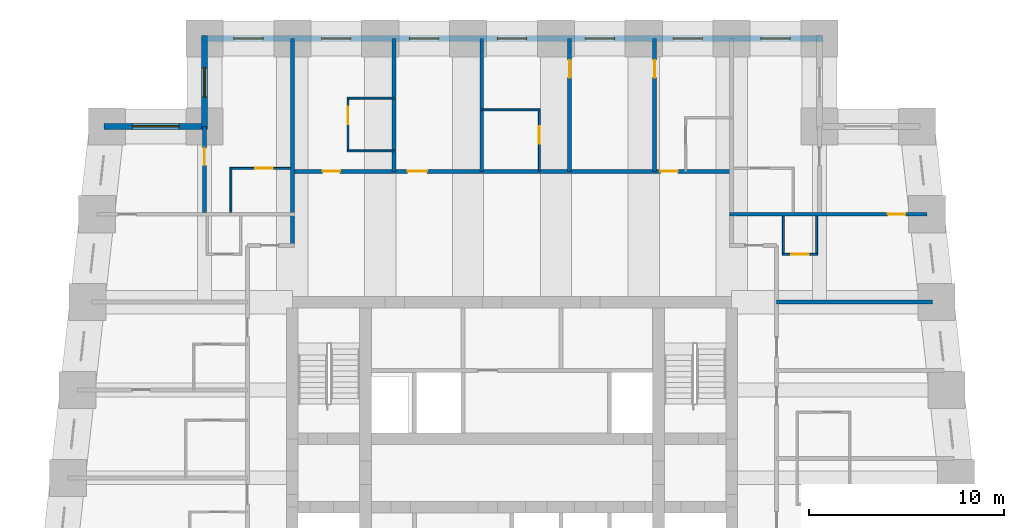
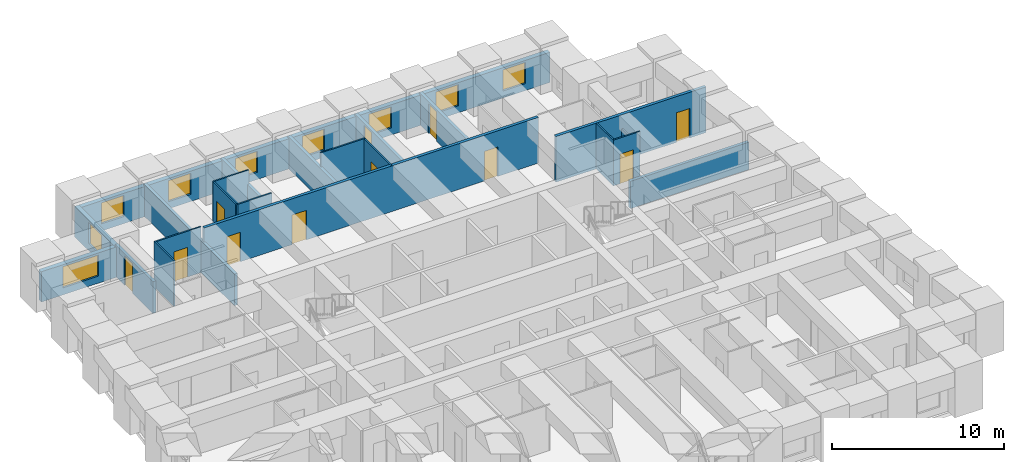
# One storey, part 6 of 8: 22 walls, 11 doors, 9 windows, 20 openings.
"""IFC4 building model written with IfcOpenShell, lengths in metres."""

from ifc_helpers import new_model, si_unit, direction, frame, frame_2d, origin, place, context, subcontext, project, spatial, rectangle, extrude, material, layer, layer_set, type_object, element, fill, save


model = new_model("IFC4")

# Units and contexts
model_context = context("Model", 3, precision=1e-05, world=origin(), true_north=direction((0.0, 1.0)))
body_context = subcontext(model_context, "Body", "Model", "MODEL_VIEW")
ifc_project = project(units=[si_unit("LENGTHUNIT", "METRE"), si_unit("AREAUNIT", "SQUARE_METRE"), si_unit("VOLUMEUNIT", "CUBIC_METRE"), si_unit("PLANEANGLEUNIT", "RADIAN"), si_unit("MASSUNIT", "GRAM", prefix="KILO")], contexts=[model_context])

# Site, building, storey
site_placement = place(None, origin())
site = spatial("IfcSite", under=ifc_project, at=site_placement, CompositionType="ELEMENT")
building_placement = place(site_placement, origin())
building = spatial("IfcBuilding", under=site, at=building_placement, Name="Kilele Tower Hotel", CompositionType="ELEMENT")
storey_placement = place(building_placement, frame((0.0, 0.0, 121.39990234375)))
storey = spatial("IfcBuildingStorey", under=building, at=storey_placement, Name="L31", CompositionType="ELEMENT", Elevation=121.39990234375)

# Walls
ifc_material_1 = material(Name="Moisture-resistant board")
ifc_layer_1 = layer(ifc_material_1, 0.10009765625)
ifc_layer_set_1 = layer_set([ifc_layer_1], Name="Moisture-resistant board")
wall_type_1 = type_object("IfcWallType", Name="Bathroom partition 100", PredefinedType="PLUMBINGWALL", material=ifc_layer_set_1)
for number, where, z_axis, x_axis, name in (
    (1, (16.300048828125, 34.75, 0.0), (0.0, 0.0, 1.0), (1.0, 0.0, 0.0), "Bathroom partition 100 L31"),
    (2, (16.300048828125, 37.449951171875, 0.0), (0.0, 0.0, 1.0), (1.0, 0.0, 0.0), "Bathroom partition 100 L31"),
):
    element("IfcWall", number, at=place(storey_placement, frame(where, z_axis=z_axis, x_axis=x_axis)), inside=storey, type_object=wall_type_1, Name=name, PredefinedType="PLUMBINGWALL", context=body_context, shape_type="SweptSolid", body=[
        extrude(rectangle(XDim=2.39990234375, YDim=0.10009765625, at=frame_2d((1.199951171875, 0.0))), origin(), (0.0, 0.0, 1.0), 3.25),
    ])

# Wall, opening, door
wall_1_placement = place(storey_placement, frame((16.35009765625, 34.699951171875, 0.0), z_axis=(0.0, 0.0, 1.0), x_axis=(0.0, 1.0, 0.0)))
wall_1 = element("IfcWall", 3, at=wall_1_placement, inside=storey, type_object=wall_type_1, Name="Bathroom partition 100 L31", PredefinedType="PLUMBINGWALL", context=body_context, shape_type="SweptSolid", body=[
    extrude(rectangle(XDim=2.800048828125, YDim=0.10009765625, at=frame_2d((1.39990234375, 0.0))), origin(), (0.0, 0.0, 1.0), 3.25),
])
opening_1_placement = place(wall_1_placement, frame((1.39990234375, 0.0, 0.0)))
opening_1 = element("IfcOpeningElement", 4, at=opening_1_placement, cuts=wall_1, Name="Opening D2A", PredefinedType="OPENING", context=body_context, shape_type="SweptSolid", body=[
    extrude(rectangle(XDim=0.89990234375, YDim=2.10009765625, at=frame_2d((0.449951171875, 1.050048828125))), frame((0.0, 0.06005859375, 0.0), z_axis=(0.0, -1.0, 0.0), x_axis=(1.0, 0.0, 0.0)), (0.0, 0.0, 1.0), 0.1201171875),
])
ifc_material_2 = material(Name="Timber door leaf in hardwood frame", Category="wood")
door_type_1 = type_object("IfcDoorType", Name="Bathroom door 900", OperationType="SINGLE_SWING_LEFT", PredefinedType="DOOR", material=ifc_material_2)
door_1_placement = place(opening_1_placement, origin())
door_1 = element("IfcDoor", 5, at=door_1_placement, inside=storey, type_object=door_type_1, Name="Bathroom door 3109B", OperationType="SINGLE_SWING_RIGHT", OverallHeight=2.10009765625, OverallWidth=0.89990234375, PredefinedType="DOOR", context=body_context, shape_type="SweptSolid", body=[
    extrude(rectangle(XDim=0.89990234375, YDim=2.10009765625, at=frame_2d((0.449951171875, 1.050048828125))), frame((0.0, 0.02490234375, 0.0), z_axis=(0.0, -1.0, 0.0), x_axis=(1.0, 0.0, 0.0)), (0.0, 0.0, 1.0), 0.050048828125),
])
fill(opening_1, door_1)

# Wall
wall_2_placement = place(storey_placement, frame((23.199951171875, 36.85009765625, 0.0), z_axis=(0.0, 0.0, 1.0), x_axis=(1.0, 0.0, 0.0)))
element("IfcWall", 6, at=wall_2_placement, inside=storey, type_object=wall_type_1, Name="Bathroom partition 100 L31", PredefinedType="PLUMBINGWALL", context=body_context, shape_type="SweptSolid", body=[
    extrude(rectangle(XDim=3.0, YDim=0.10009765625, at=frame_2d((1.5, 0.0))), origin(), (0.0, 0.0, 1.0), 3.25),
])

# Wall, opening, door
wall_3_placement = place(storey_placement, frame((26.14990234375, 33.699951171875, 0.0), z_axis=(0.0, 0.0, 1.0), x_axis=(0.0, 1.0, 0.0)))
wall_3 = element("IfcWall", 7, at=wall_3_placement, inside=storey, type_object=wall_type_1, Name="Bathroom partition 100 L31", PredefinedType="PLUMBINGWALL", context=body_context, shape_type="SweptSolid", body=[
    extrude(rectangle(XDim=3.199951171875, YDim=0.10009765625, at=frame_2d((1.60009765625, 0.0))), origin(), (0.0, 0.0, 1.0), 3.25),
])
opening_2_placement = place(wall_3_placement, frame((2.2998046875, 0.0, 0.0), z_axis=(0.0, 0.0, 1.0), x_axis=(-1.0, 0.0, 0.0)))
opening_2 = element("IfcOpeningElement", 8, at=opening_2_placement, cuts=wall_3, Name="Opening D2A", PredefinedType="OPENING", context=body_context, shape_type="SweptSolid", body=[
    extrude(rectangle(XDim=0.89990234375, YDim=2.10009765625, at=frame_2d((0.449951171875, 1.050048828125))), frame((0.0, 0.06005859375, 0.0), z_axis=(0.0, -1.0, 0.0), x_axis=(1.0, 0.0, 0.0)), (0.0, 0.0, 1.0), 0.1201171875),
])
door_2_placement = place(opening_2_placement, origin())
door_2 = element("IfcDoor", 9, at=door_2_placement, inside=storey, type_object=door_type_1, Name="Bathroom door 3111B", OperationType="SINGLE_SWING_RIGHT", OverallHeight=2.10009765625, OverallWidth=0.89990234375, PredefinedType="DOOR", context=body_context, shape_type="SweptSolid", body=[
    extrude(rectangle(XDim=0.89990234375, YDim=2.10009765625, at=frame_2d((0.449951171875, 1.050048828125))), frame((0.0, 0.02490234375, 0.0), z_axis=(0.0, -1.0, 0.0), x_axis=(1.0, 0.0, 0.0)), (0.0, 0.0, 1.0), 0.050048828125),
])
fill(opening_2, door_2)

# Walls
wall_4_placement = place(storey_placement, frame((40.35009765625, 31.39990234375, 0.0), z_axis=(0.0, 0.0, 1.0), x_axis=(0.0, -1.0, 0.0)))
element("IfcWall", 10, at=wall_4_placement, inside=storey, type_object=wall_type_1, Name="Bathroom partition 100 L31", PredefinedType="PLUMBINGWALL", context=body_context, shape_type="SweptSolid", body=[
    extrude(rectangle(XDim=2.0, YDim=0.10009765625, at=frame_2d((1.0, 0.0))), origin(), (0.0, 0.0, 1.0), 2.25),
])
wall_5_placement = place(storey_placement, frame((38.64990234375, 31.39990234375, 0.0), z_axis=(0.0, 0.0, 1.0), x_axis=(0.0, -1.0, 0.0)))
element("IfcWall", 11, at=wall_5_placement, inside=storey, type_object=wall_type_1, Name="Bathroom partition 100 L31", PredefinedType="PLUMBINGWALL", context=body_context, shape_type="SweptSolid", body=[
    extrude(rectangle(XDim=2.0, YDim=0.10009765625, at=frame_2d((1.0, 0.0))), origin(), (0.0, 0.0, 1.0), 3.25),
])

# Wall, opening, door
wall_6_placement = place(storey_placement, frame((38.60009765625, 29.449951171875, 0.0), z_axis=(0.0, 0.0, 1.0), x_axis=(1.0, 0.0, 0.0)))
wall_6 = element("IfcWall", 12, at=wall_6_placement, inside=storey, type_object=wall_type_1, Name="Bathroom partition 100 L31", PredefinedType="PLUMBINGWALL", context=body_context, shape_type="SweptSolid", body=[
    extrude(rectangle(XDim=1.7998046875, YDim=0.10009765625, at=frame_2d((0.89990234375, 0.0))), origin(), (0.0, 0.0, 1.0), 3.25),
])
opening_3_placement = place(wall_6_placement, frame((1.349853515625, 0.0, 0.0), z_axis=(0.0, 0.0, 1.0), x_axis=(-1.0, 0.0, 0.0)))
opening_3 = element("IfcOpeningElement", 13, at=opening_3_placement, cuts=wall_6, Name="Opening D2A", PredefinedType="OPENING", context=body_context, shape_type="SweptSolid", body=[
    extrude(rectangle(XDim=0.89990234375, YDim=2.10009765625, at=frame_2d((0.449951171875, 1.050048828125))), frame((0.0, 0.06005859375, 0.0), z_axis=(0.0, -1.0, 0.0), x_axis=(1.0, 0.0, 0.0)), (0.0, 0.0, 1.0), 0.1201171875),
])
door_3_placement = place(opening_3_placement, origin())
door_3 = element("IfcDoor", 14, at=door_3_placement, inside=storey, type_object=door_type_1, Name="Bathroom door 3123P", OperationType="SINGLE_SWING_RIGHT", OverallHeight=2.10009765625, OverallWidth=0.89990234375, PredefinedType="DOOR", context=body_context, shape_type="SweptSolid", body=[
    extrude(rectangle(XDim=0.89990234375, YDim=2.10009765625, at=frame_2d((0.449951171875, 1.050048828125))), frame((0.0, 0.02490234375, 0.0), z_axis=(0.0, -1.0, 0.0), x_axis=(1.0, 0.0, 0.0)), (0.0, 0.0, 1.0), 0.050048828125),
])
fill(opening_3, door_3)

# Wall
wall_7_placement = place(storey_placement, frame((10.35009765625, 31.60009765625, 0.0), z_axis=(0.0, 0.0, 1.0), x_axis=(0.0, 1.0, 0.0)))
element("IfcWall", 15, at=wall_7_placement, inside=storey, type_object=wall_type_1, Name="Bathroom partition 100 L31", PredefinedType="PLUMBINGWALL", context=body_context, shape_type="SweptSolid", body=[
    extrude(rectangle(XDim=2.2998046875, YDim=0.10009765625, at=frame_2d((1.14990234375, 0.0))), origin(), (0.0, 0.0, 1.0), 3.25),
])

# Wall, opening, door
wall_8_placement = place(storey_placement, frame((13.39990234375, 33.85009765625, 0.0), z_axis=(0.0, 0.0, 1.0), x_axis=(-1.0, 0.0, 0.0)))
wall_8 = element("IfcWall", 16, at=wall_8_placement, inside=storey, type_object=wall_type_1, Name="Bathroom partition 100 L31", PredefinedType="PLUMBINGWALL", context=body_context, shape_type="SweptSolid", body=[
    extrude(rectangle(XDim=3.099853515625, YDim=0.10009765625, at=frame_2d((1.5498046875, 0.0))), origin(), (0.0, 0.0, 1.0), 3.25),
])
opening_4_placement = place(wall_8_placement, frame((1.7998046875, 0.0, 0.0), z_axis=(0.0, 0.0, 1.0), x_axis=(-1.0, 0.0, 0.0)))
opening_4 = element("IfcOpeningElement", 17, at=opening_4_placement, cuts=wall_8, Name="Opening D2A", PredefinedType="OPENING", context=body_context, shape_type="SweptSolid", body=[
    extrude(rectangle(XDim=0.89990234375, YDim=2.10009765625, at=frame_2d((0.449951171875, 1.050048828125))), frame((0.0, 0.06005859375, 0.0), z_axis=(0.0, -1.0, 0.0), x_axis=(1.0, 0.0, 0.0)), (0.0, 0.0, 1.0), 0.1201171875),
])
door_4_placement = place(opening_4_placement, origin())
door_4 = element("IfcDoor", 18, at=door_4_placement, inside=storey, type_object=door_type_1, Name="Bathroom door 3127B", OperationType="SINGLE_SWING_RIGHT", OverallHeight=2.10009765625, OverallWidth=0.89990234375, PredefinedType="DOOR", context=body_context, shape_type="SweptSolid", body=[
    extrude(rectangle(XDim=0.89990234375, YDim=2.10009765625, at=frame_2d((0.449951171875, 1.050048828125))), frame((0.0, 0.02490234375, 0.0), z_axis=(0.0, -1.0, 0.0), x_axis=(1.0, 0.0, 0.0)), (0.0, 0.0, 1.0), 0.050048828125),
])
fill(opening_4, door_4)

# Wall, openings, doors
ifc_material_3 = material(Name="Blockwork, plastered both sides", Category="masonry")
ifc_layer_2 = layer(ifc_material_3, 0.199951171875)
ifc_layer_set_2 = layer_set([ifc_layer_2], Name="Blockwork, plastered both sides")
wall_type_2 = type_object("IfcWallType", Name="Corridor wall 200", PredefinedType="PARTITIONING", material=ifc_layer_set_2)
wall_9_placement = place(storey_placement, frame((13.5, 33.699951171875, 0.0), z_axis=(0.0, 0.0, 1.0), x_axis=(1.0, 0.0, 0.0)))
wall_9 = element("IfcWall", 19, at=wall_9_placement, inside=storey, type_object=wall_type_2, Name="Corridor wall 200 L31", PredefinedType="PARTITIONING", context=body_context, shape_type="SweptSolid", body=[
    extrude(rectangle(XDim=22.5, YDim=0.199951171875, at=frame_2d((11.25, 0.0))), origin(), (0.0, 0.0, 1.0), 3.25),
])
opening_5_placement = place(wall_9_placement, frame((1.550048828125, 0.0, 0.0)))
opening_5 = element("IfcOpeningElement", 20, at=opening_5_placement, cuts=wall_9, Name="Opening D1", PredefinedType="OPENING", context=body_context, shape_type="SweptSolid", body=[
    extrude(rectangle(XDim=0.89990234375, YDim=2.10009765625, at=frame_2d((0.449951171875, 1.050048828125))), frame((0.0, 0.10986328125, 0.0), z_axis=(0.0, -1.0, 0.0), x_axis=(1.0, 0.0, 0.0)), (0.0, 0.0, 1.0), 0.219970703125),
])
opening_6_placement = place(wall_9_placement, frame((5.89990234375, 0.0, 0.0)))
opening_6 = element("IfcOpeningElement", 21, at=opening_6_placement, cuts=wall_9, Name="Opening D8", PredefinedType="OPENING", context=body_context, shape_type="SweptSolid", body=[
    extrude(rectangle(XDim=1.0, YDim=2.10009765625, at=frame_2d((0.5, 1.050048828125))), frame((0.0, 0.10986328125, 0.0), z_axis=(0.0, -1.0, 0.0), x_axis=(1.0, 0.0, 0.0)), (0.0, 0.0, 1.0), 0.219970703125),
])
opening_7_placement = place(wall_9_placement, frame((18.85009765625, 0.0, 0.0)))
opening_7 = element("IfcOpeningElement", 22, at=opening_7_placement, cuts=wall_9, Name="Opening D1", PredefinedType="OPENING", context=body_context, shape_type="SweptSolid", body=[
    extrude(rectangle(XDim=0.89990234375, YDim=2.10009765625, at=frame_2d((0.449951171875, 1.050048828125))), frame((0.0, 0.10986328125, 0.0), z_axis=(0.0, -1.0, 0.0), x_axis=(1.0, 0.0, 0.0)), (0.0, 0.0, 1.0), 0.219970703125),
])
ifc_material_4 = material(Name="Timber door leaf in hardwood frame", Category="wood")
door_type_2 = type_object("IfcDoorType", Name="Door 1000", OperationType="SINGLE_SWING_LEFT", PredefinedType="DOOR", material=ifc_material_4)
door_5_placement = place(opening_6_placement, origin())
door_5 = element("IfcDoor", 23, at=door_5_placement, inside=storey, type_object=door_type_2, Name="Room entrance 3110", OperationType="SINGLE_SWING_LEFT", OverallHeight=2.10009765625, OverallWidth=1.0, PredefinedType="DOOR", context=body_context, shape_type="SweptSolid", body=[
    extrude(rectangle(XDim=1.0, YDim=2.10009765625, at=frame_2d((0.5, 1.050048828125))), frame((0.0, 0.02490234375, 0.0), z_axis=(0.0, -1.0, 0.0), x_axis=(1.0, 0.0, 0.0)), (0.0, 0.0, 1.0), 0.050048828125),
])
fill(opening_6, door_5)
ifc_material_5 = material(Name="Timber door leaf in hardwood frame", Category="wood")
door_type_3 = type_object("IfcDoorType", Name="Guest room entrance door 900", OperationType="SINGLE_SWING_LEFT", PredefinedType="DOOR", material=ifc_material_5)
door_6_placement = place(opening_5_placement, origin())
door_6 = element("IfcDoor", 24, at=door_6_placement, inside=storey, type_object=door_type_3, Name="Room entrance 3109", OperationType="SINGLE_SWING_RIGHT", OverallHeight=2.10009765625, OverallWidth=0.89990234375, PredefinedType="DOOR", context=body_context, shape_type="SweptSolid", body=[
    extrude(rectangle(XDim=0.89990234375, YDim=2.10009765625, at=frame_2d((0.449951171875, 1.050048828125))), frame((0.0, 0.02490234375, 0.0), z_axis=(0.0, -1.0, 0.0), x_axis=(1.0, 0.0, 0.0)), (0.0, 0.0, 1.0), 0.050048828125),
])
fill(opening_5, door_6)
door_7_placement = place(opening_7_placement, origin())
door_7 = element("IfcDoor", 25, at=door_7_placement, inside=storey, type_object=door_type_3, Name="Room entrance 3113", OperationType="SINGLE_SWING_LEFT", OverallHeight=2.10009765625, OverallWidth=0.89990234375, PredefinedType="DOOR", context=body_context, shape_type="SweptSolid", body=[
    extrude(rectangle(XDim=0.89990234375, YDim=2.10009765625, at=frame_2d((0.449951171875, 1.050048828125))), frame((0.0, 0.02490234375, 0.0), z_axis=(0.0, -1.0, 0.0), x_axis=(1.0, 0.0, 0.0)), (0.0, 0.0, 1.0), 0.050048828125),
])
fill(opening_7, door_7)

# Wall, opening, door
ifc_material_6 = material(Name="Blockwork, plastered both sides", Category="masonry")
ifc_layer_3 = layer(ifc_material_6, 0.199951171875)
ifc_layer_set_3 = layer_set([ifc_layer_3], Name="Blockwork, plastered both sides")
wall_type_3 = type_object("IfcWallType", Name="Partition wall 200", PredefinedType="PARTITIONING", material=ifc_layer_set_3)
wall_10_placement = place(storey_placement, frame((9.0, 31.60009765625, 0.0), z_axis=(0.0, 0.0, 1.0), x_axis=(0.0, 1.0, 0.0)))
wall_10 = element("IfcWall", 26, at=wall_10_placement, inside=storey, type_object=wall_type_3, Name="Partition wall 200 L31", PredefinedType="PARTITIONING", context=body_context, shape_type="SweptSolid", body=[
    extrude(rectangle(XDim=4.39990234375, YDim=0.199951171875, at=frame_2d((2.199951171875, 0.0))), origin(), (0.0, 0.0, 1.0), 2.25),
])
opening_8_placement = place(wall_10_placement, frame((2.39990234375, 0.0, 0.0)))
opening_8 = element("IfcOpeningElement", 27, at=opening_8_placement, cuts=wall_10, Name="Opening D3", PredefinedType="OPENING", context=body_context, shape_type="SweptSolid", body=[
    extrude(rectangle(XDim=0.89990234375, YDim=2.10009765625, at=frame_2d((0.449951171875, 1.050048828125))), frame((0.0, 0.10986328125, 0.0), z_axis=(0.0, -1.0, 0.0), x_axis=(1.0, 0.0, 0.0)), (0.0, 0.0, 1.0), 0.219970703125),
])
ifc_material_7 = material(Name="Timber door leaf in hardwood frame", Category="wood")
door_type_4 = type_object("IfcDoorType", Name="Suite internal door 900", OperationType="SINGLE_SWING_LEFT", PredefinedType="DOOR", material=ifc_material_7)
door_8_placement = place(opening_8_placement, origin())
door_8 = element("IfcDoor", 28, at=door_8_placement, inside=storey, type_object=door_type_4, Name="Suite door 3128", OperationType="SINGLE_SWING_RIGHT", OverallHeight=2.10009765625, OverallWidth=0.89990234375, PredefinedType="DOOR", context=body_context, shape_type="SweptSolid", body=[
    extrude(rectangle(XDim=0.89990234375, YDim=2.10009765625, at=frame_2d((0.449951171875, 1.050048828125))), frame((0.0, 0.02490234375, 0.0), z_axis=(0.0, -1.0, 0.0), x_axis=(1.0, 0.0, 0.0)), (0.0, 0.0, 1.0), 0.050048828125),
])
fill(opening_8, door_8)

# Walls
ifc_material_8 = material(Name="Blockwork, plastered both sides", Category="masonry")
ifc_layer_4 = layer(ifc_material_8, 0.199951171875)
ifc_layer_set_4 = layer_set([ifc_layer_4], Name="Blockwork, plastered both sides")
wall_type_4 = type_object("IfcWallType", Name="Party wall 200", PredefinedType="PARTITIONING", material=ifc_layer_set_4)
for number, where, z_axis, x_axis, name in (
    (29, (18.699951171875, 33.699951171875, 0.0), (0.0, 0.0, 1.0), (0.0, 1.0, 0.0), "Party wall 200 L31"),
    (30, (23.199951171875, 33.699951171875, 0.0), (0.0, 0.0, 1.0), (0.0, 1.0, 0.0), "Party wall 200 L31"),
):
    element("IfcWall", number, at=place(storey_placement, frame(where, z_axis=z_axis, x_axis=x_axis)), inside=storey, type_object=wall_type_4, Name=name, PredefinedType="PARTITIONING", context=body_context, shape_type="SweptSolid", body=[
        extrude(rectangle(XDim=6.800048828125, YDim=0.199951171875, at=frame_2d((3.39990234375, 0.0))), origin(), (0.0, 0.0, 1.0), 2.25),
    ])

# Wall, opening, door
wall_11_placement = place(storey_placement, frame((27.699951171875, 33.699951171875, 0.0), z_axis=(0.0, 0.0, 1.0), x_axis=(0.0, 1.0, 0.0)))
wall_11 = element("IfcWall", 31, at=wall_11_placement, inside=storey, type_object=wall_type_4, Name="Party wall 200 L31", PredefinedType="PARTITIONING", context=body_context, shape_type="SweptSolid", body=[
    extrude(rectangle(XDim=6.800048828125, YDim=0.199951171875, at=frame_2d((3.39990234375, 0.0))), origin(), (0.0, 0.0, 1.0), 2.25),
])
opening_9_placement = place(wall_11_placement, frame((4.800048828125, 0.0, 0.0)))
opening_9 = element("IfcOpeningElement", 32, at=opening_9_placement, cuts=wall_11, Name="Opening D3", PredefinedType="OPENING", context=body_context, shape_type="SweptSolid", body=[
    extrude(rectangle(XDim=0.89990234375, YDim=2.10009765625, at=frame_2d((0.449951171875, 1.050048828125))), frame((0.0, 0.10986328125, 0.0), z_axis=(0.0, -1.0, 0.0), x_axis=(1.0, 0.0, 0.0)), (0.0, 0.0, 1.0), 0.219970703125),
])
door_9_placement = place(opening_9_placement, origin())
door_9 = element("IfcDoor", 33, at=door_9_placement, inside=storey, type_object=door_type_4, Name="Suite door 3112", OperationType="SINGLE_SWING_RIGHT", OverallHeight=2.10009765625, OverallWidth=0.89990234375, PredefinedType="DOOR", context=body_context, shape_type="SweptSolid", body=[
    extrude(rectangle(XDim=0.89990234375, YDim=2.10009765625, at=frame_2d((0.449951171875, 1.050048828125))), frame((0.0, 0.02490234375, 0.0), z_axis=(0.0, -1.0, 0.0), x_axis=(1.0, 0.0, 0.0)), (0.0, 0.0, 1.0), 0.050048828125),
])
fill(opening_9, door_9)

wall_12_placement = place(storey_placement, frame((32.050048828125, 33.699951171875, 0.0), z_axis=(0.0, 0.0, 1.0), x_axis=(0.0, 1.0, 0.0)))
wall_12 = element("IfcWall", 34, at=wall_12_placement, inside=storey, type_object=wall_type_4, Name="Party wall 200 L31", PredefinedType="PARTITIONING", context=body_context, shape_type="SweptSolid", body=[
    extrude(rectangle(XDim=6.800048828125, YDim=0.199951171875, at=frame_2d((3.39990234375, 0.0))), origin(), (0.0, 0.0, 1.0), 2.25),
])
opening_10_placement = place(wall_12_placement, frame((4.800048828125, 0.0, 0.0)))
opening_10 = element("IfcOpeningElement", 35, at=opening_10_placement, cuts=wall_12, Name="Opening D3", PredefinedType="OPENING", context=body_context, shape_type="SweptSolid", body=[
    extrude(rectangle(XDim=0.89990234375, YDim=2.10009765625, at=frame_2d((0.449951171875, 1.050048828125))), frame((0.0, 0.10986328125, 0.0), z_axis=(0.0, -1.0, 0.0), x_axis=(1.0, 0.0, 0.0)), (0.0, 0.0, 1.0), 0.219970703125),
])
door_10_placement = place(opening_10_placement, origin())
door_10 = element("IfcDoor", 36, at=door_10_placement, inside=storey, type_object=door_type_4, Name="Suite door 3113", OperationType="SINGLE_SWING_RIGHT", OverallHeight=2.10009765625, OverallWidth=0.89990234375, PredefinedType="DOOR", context=body_context, shape_type="SweptSolid", body=[
    extrude(rectangle(XDim=0.89990234375, YDim=2.10009765625, at=frame_2d((0.449951171875, 1.050048828125))), frame((0.0, 0.02490234375, 0.0), z_axis=(0.0, -1.0, 0.0), x_axis=(1.0, 0.0, 0.0)), (0.0, 0.0, 1.0), 0.050048828125),
])
fill(opening_10, door_10)

# Wall
wall_13_placement = place(storey_placement, frame((38.300048828125, 27.0, 0.0), z_axis=(0.0, 0.0, 1.0), x_axis=(1.0, 0.0, 0.0)))
element("IfcWall", 37, at=wall_13_placement, inside=storey, type_object=wall_type_4, Name="Party wall 200 L31", PredefinedType="PARTITIONING", context=body_context, shape_type="SweptSolid", body=[
    extrude(rectangle(XDim=7.976806640625, YDim=0.199951171875, at=frame_2d((3.98828125, 0.0))), origin(), (0.0, 0.0, 1.0), 1.9501953125),
])

# Wall, opening, door
wall_14_placement = place(storey_placement, frame((35.89990234375, 31.5, 0.0), z_axis=(0.0, 0.0, 1.0), x_axis=(1.0, 0.0, 0.0)))
wall_14 = element("IfcWall", 38, at=wall_14_placement, inside=storey, type_object=wall_type_4, Name="Party wall 200 L31", PredefinedType="PARTITIONING", context=body_context, shape_type="SweptSolid", body=[
    extrude(rectangle(XDim=10.09912109375, YDim=0.199951171875, at=frame_2d((5.049560546875, 0.0))), origin(), (0.0, 0.0, 1.0), 3.25),
])
opening_11_placement = place(wall_14_placement, frame((8.09912109375, 0.0, 0.0)))
opening_11 = element("IfcOpeningElement", 39, at=opening_11_placement, cuts=wall_14, Name="Opening D3", PredefinedType="OPENING", context=body_context, shape_type="SweptSolid", body=[
    extrude(rectangle(XDim=0.89990234375, YDim=2.10009765625, at=frame_2d((0.449951171875, 1.050048828125))), frame((0.0, 0.10986328125, 0.0), z_axis=(0.0, -1.0, 0.0), x_axis=(1.0, 0.0, 0.0)), (0.0, 0.0, 1.0), 0.219970703125),
])
door_11_placement = place(opening_11_placement, origin())
door_11 = element("IfcDoor", 40, at=door_11_placement, inside=storey, type_object=door_type_4, Name="Suite door 3124", OperationType="SINGLE_SWING_RIGHT", OverallHeight=2.10009765625, OverallWidth=0.89990234375, PredefinedType="DOOR", context=body_context, shape_type="SweptSolid", body=[
    extrude(rectangle(XDim=0.89990234375, YDim=2.10009765625, at=frame_2d((0.449951171875, 1.050048828125))), frame((0.0, 0.02490234375, 0.0), z_axis=(0.0, -1.0, 0.0), x_axis=(1.0, 0.0, 0.0)), (0.0, 0.0, 1.0), 0.050048828125),
])
fill(opening_11, door_11)

# Wall
wall_15_placement = place(storey_placement, frame((13.5, 29.89990234375, 0.0), z_axis=(0.0, 0.0, 1.0), x_axis=(0.0, 1.0, 0.0)))
element("IfcWall", 41, at=wall_15_placement, inside=storey, type_object=wall_type_4, Name="Party wall 200 L31", PredefinedType="PARTITIONING", context=body_context, shape_type="SweptSolid", body=[
    extrude(rectangle(XDim=10.60009765625, YDim=0.199951171875, at=frame_2d((5.300048828125, 0.0))), origin(), (0.0, 0.0, 1.0), 2.25),
])

# Wall, openings, windows
ifc_material_9 = material(Name="Concrete C40/50 precast", Category="concrete")
ifc_layer_5 = layer(ifc_material_9, 0.260009765625, Name="Precast backing", Category="LoadBearing")
ifc_material_10 = material(Name="Reconstituted stone finish", Category="masonry")
ifc_layer_6 = layer(ifc_material_10, 0.0400390625, Name="Face mix", Category="Finish")
ifc_layer_set_5 = layer_set([ifc_layer_5, ifc_layer_6], Name="Precast concrete C40/50, reconstituted stone finish")
wall_type_5 = type_object("IfcWallType", Name="Precast stone facade wall 300", PredefinedType="STANDARD", material=ifc_layer_set_5)
wall_16_placement = place(storey_placement, frame((40.64990234375, 40.5, 0.0), z_axis=(0.0, 0.0, 1.0), x_axis=(-1.0, 0.0, 0.0)))
wall_16 = element("IfcWall", 42, at=wall_16_placement, inside=storey, type_object=wall_type_5, Name="Facade wall L31 edge 9", PredefinedType="STANDARD", context=body_context, shape_type="SweptSolid", body=[
    extrude(rectangle(XDim=31.7998046875, YDim=0.300048828125, at=frame_2d((15.89990234375, 0.0))), origin(), (0.0, 0.0, 1.0), 2.150146484375),
])
opening_12_placement = place(wall_16_placement, frame((1.64990234375, 0.0, 0.5)))
opening_12 = element("IfcOpeningElement", 43, at=opening_12_placement, cuts=wall_16, Name="Opening W2", PredefinedType="OPENING", context=body_context, shape_type="SweptSolid", body=[
    extrude(rectangle(XDim=1.5, YDim=1.5, at=frame_2d((0.75, 0.75))), frame((0.0, 0.159912109375, 0.0), z_axis=(0.0, -1.0, 0.0), x_axis=(1.0, 0.0, 0.0)), (0.0, 0.0, 1.0), 0.320068359375),
])
opening_13_placement = place(wall_16_placement, frame((6.14990234375, 0.0, 0.5)))
opening_13 = element("IfcOpeningElement", 44, at=opening_13_placement, cuts=wall_16, Name="Opening W2", PredefinedType="OPENING", context=body_context, shape_type="SweptSolid", body=[
    extrude(rectangle(XDim=1.5, YDim=1.5, at=frame_2d((0.75, 0.75))), frame((0.0, 0.159912109375, 0.0), z_axis=(0.0, -1.0, 0.0), x_axis=(1.0, 0.0, 0.0)), (0.0, 0.0, 1.0), 0.320068359375),
])
opening_14_placement = place(wall_16_placement, frame((10.64990234375, 0.0, 0.5)))
opening_14 = element("IfcOpeningElement", 45, at=opening_14_placement, cuts=wall_16, Name="Opening W2", PredefinedType="OPENING", context=body_context, shape_type="SweptSolid", body=[
    extrude(rectangle(XDim=1.5, YDim=1.5, at=frame_2d((0.75, 0.75))), frame((0.0, 0.159912109375, 0.0), z_axis=(0.0, -1.0, 0.0), x_axis=(1.0, 0.0, 0.0)), (0.0, 0.0, 1.0), 0.320068359375),
])
opening_15_placement = place(wall_16_placement, frame((15.14990234375, 0.0, 0.5)))
opening_15 = element("IfcOpeningElement", 46, at=opening_15_placement, cuts=wall_16, Name="Opening W2", PredefinedType="OPENING", context=body_context, shape_type="SweptSolid", body=[
    extrude(rectangle(XDim=1.5, YDim=1.5, at=frame_2d((0.75, 0.75))), frame((0.0, 0.159912109375, 0.0), z_axis=(0.0, -1.0, 0.0), x_axis=(1.0, 0.0, 0.0)), (0.0, 0.0, 1.0), 0.320068359375),
])
opening_16_placement = place(wall_16_placement, frame((19.64990234375, 0.0, 0.5)))
opening_16 = element("IfcOpeningElement", 47, at=opening_16_placement, cuts=wall_16, Name="Opening W2", PredefinedType="OPENING", context=body_context, shape_type="SweptSolid", body=[
    extrude(rectangle(XDim=1.5, YDim=1.5, at=frame_2d((0.75, 0.75))), frame((0.0, 0.159912109375, 0.0), z_axis=(0.0, -1.0, 0.0), x_axis=(1.0, 0.0, 0.0)), (0.0, 0.0, 1.0), 0.320068359375),
])
opening_17_placement = place(wall_16_placement, frame((24.14990234375, 0.0, 0.5)))
opening_17 = element("IfcOpeningElement", 48, at=opening_17_placement, cuts=wall_16, Name="Opening W2", PredefinedType="OPENING", context=body_context, shape_type="SweptSolid", body=[
    extrude(rectangle(XDim=1.5, YDim=1.5, at=frame_2d((0.75, 0.75))), frame((0.0, 0.159912109375, 0.0), z_axis=(0.0, -1.0, 0.0), x_axis=(1.0, 0.0, 0.0)), (0.0, 0.0, 1.0), 0.320068359375),
])
opening_18_placement = place(wall_16_placement, frame((28.64990234375, 0.0, 0.5)))
opening_18 = element("IfcOpeningElement", 49, at=opening_18_placement, cuts=wall_16, Name="Opening W2", PredefinedType="OPENING", context=body_context, shape_type="SweptSolid", body=[
    extrude(rectangle(XDim=1.5, YDim=1.5, at=frame_2d((0.75, 0.75))), frame((0.0, 0.159912109375, 0.0), z_axis=(0.0, -1.0, 0.0), x_axis=(1.0, 0.0, 0.0)), (0.0, 0.0, 1.0), 0.320068359375),
])
ifc_material_11 = material(Name="Aluminium frame, clear double glazing", Category="aluminium")
window_type_1 = type_object("IfcWindowType", Name="Window W2 1500 x 1500", PartitioningType="SINGLE_PANEL", PredefinedType="WINDOW", material=ifc_material_11)
window_1_placement = place(opening_12_placement, origin())
window_1 = element("IfcWindow", 50, at=window_1_placement, inside=storey, type_object=window_type_1, Name="Window L31", OverallHeight=1.5, OverallWidth=1.5, PartitioningType="SINGLE_PANEL", PredefinedType="WINDOW", context=body_context, shape_type="SweptSolid", body=[
    extrude(rectangle(XDim=1.5, YDim=1.5, at=frame_2d((0.75, 0.75))), frame((0.0, 0.030029296875, 0.0), z_axis=(0.0, -1.0, 0.0), x_axis=(1.0, 0.0, 0.0)), (0.0, 0.0, 1.0), 0.06005859375),
])
fill(opening_12, window_1)
window_2_placement = place(opening_13_placement, origin())
window_2 = element("IfcWindow", 51, at=window_2_placement, inside=storey, type_object=window_type_1, Name="Window L31", OverallHeight=1.5, OverallWidth=1.5, PartitioningType="SINGLE_PANEL", PredefinedType="WINDOW", context=body_context, shape_type="SweptSolid", body=[
    extrude(rectangle(XDim=1.5, YDim=1.5, at=frame_2d((0.75, 0.75))), frame((0.0, 0.030029296875, 0.0), z_axis=(0.0, -1.0, 0.0), x_axis=(1.0, 0.0, 0.0)), (0.0, 0.0, 1.0), 0.06005859375),
])
fill(opening_13, window_2)
window_3_placement = place(opening_14_placement, origin())
window_3 = element("IfcWindow", 52, at=window_3_placement, inside=storey, type_object=window_type_1, Name="Window L31", OverallHeight=1.5, OverallWidth=1.5, PartitioningType="SINGLE_PANEL", PredefinedType="WINDOW", context=body_context, shape_type="SweptSolid", body=[
    extrude(rectangle(XDim=1.5, YDim=1.5, at=frame_2d((0.75, 0.75))), frame((0.0, 0.030029296875, 0.0), z_axis=(0.0, -1.0, 0.0), x_axis=(1.0, 0.0, 0.0)), (0.0, 0.0, 1.0), 0.06005859375),
])
fill(opening_14, window_3)
window_4_placement = place(opening_15_placement, origin())
window_4 = element("IfcWindow", 53, at=window_4_placement, inside=storey, type_object=window_type_1, Name="Window L31", OverallHeight=1.5, OverallWidth=1.5, PartitioningType="SINGLE_PANEL", PredefinedType="WINDOW", context=body_context, shape_type="SweptSolid", body=[
    extrude(rectangle(XDim=1.5, YDim=1.5, at=frame_2d((0.75, 0.75))), frame((0.0, 0.030029296875, 0.0), z_axis=(0.0, -1.0, 0.0), x_axis=(1.0, 0.0, 0.0)), (0.0, 0.0, 1.0), 0.06005859375),
])
fill(opening_15, window_4)
window_5_placement = place(opening_16_placement, origin())
window_5 = element("IfcWindow", 54, at=window_5_placement, inside=storey, type_object=window_type_1, Name="Window L31", OverallHeight=1.5, OverallWidth=1.5, PartitioningType="SINGLE_PANEL", PredefinedType="WINDOW", context=body_context, shape_type="SweptSolid", body=[
    extrude(rectangle(XDim=1.5, YDim=1.5, at=frame_2d((0.75, 0.75))), frame((0.0, 0.030029296875, 0.0), z_axis=(0.0, -1.0, 0.0), x_axis=(1.0, 0.0, 0.0)), (0.0, 0.0, 1.0), 0.06005859375),
])
fill(opening_16, window_5)
window_6_placement = place(opening_17_placement, origin())
window_6 = element("IfcWindow", 55, at=window_6_placement, inside=storey, type_object=window_type_1, Name="Window L31", OverallHeight=1.5, OverallWidth=1.5, PartitioningType="SINGLE_PANEL", PredefinedType="WINDOW", context=body_context, shape_type="SweptSolid", body=[
    extrude(rectangle(XDim=1.5, YDim=1.5, at=frame_2d((0.75, 0.75))), frame((0.0, 0.030029296875, 0.0), z_axis=(0.0, -1.0, 0.0), x_axis=(1.0, 0.0, 0.0)), (0.0, 0.0, 1.0), 0.06005859375),
])
fill(opening_17, window_6)
window_7_placement = place(opening_18_placement, origin())
window_7 = element("IfcWindow", 56, at=window_7_placement, inside=storey, type_object=window_type_1, Name="Window L31", OverallHeight=1.5, OverallWidth=1.5, PartitioningType="SINGLE_PANEL", PredefinedType="WINDOW", context=body_context, shape_type="SweptSolid", body=[
    extrude(rectangle(XDim=1.5, YDim=1.5, at=frame_2d((0.75, 0.75))), frame((0.0, 0.030029296875, 0.0), z_axis=(0.0, -1.0, 0.0), x_axis=(1.0, 0.0, 0.0)), (0.0, 0.0, 1.0), 0.06005859375),
])
fill(opening_18, window_7)

# Wall, opening, window
wall_17_placement = place(storey_placement, frame((9.0, 40.64990234375, 0.0), z_axis=(0.0, 0.0, 1.0), x_axis=(0.0, -1.0, 0.0)))
wall_17 = element("IfcWall", 57, at=wall_17_placement, inside=storey, type_object=wall_type_5, Name="Facade wall L31 edge 10", PredefinedType="STANDARD", context=body_context, shape_type="SweptSolid", body=[
    extrude(rectangle(XDim=4.7998046875, YDim=0.300048828125, at=frame_2d((2.39990234375, 0.0))), origin(), (0.0, 0.0, 1.0), 2.150146484375),
])
opening_19_placement = place(wall_17_placement, frame((1.64990234375, 0.0, 0.5)))
opening_19 = element("IfcOpeningElement", 58, at=opening_19_placement, cuts=wall_17, Name="Opening W2", PredefinedType="OPENING", context=body_context, shape_type="SweptSolid", body=[
    extrude(rectangle(XDim=1.5, YDim=1.5, at=frame_2d((0.75, 0.75))), frame((0.0, 0.159912109375, 0.0), z_axis=(0.0, -1.0, 0.0), x_axis=(1.0, 0.0, 0.0)), (0.0, 0.0, 1.0), 0.320068359375),
])
window_8_placement = place(opening_19_placement, origin())
window_8 = element("IfcWindow", 59, at=window_8_placement, inside=storey, type_object=window_type_1, Name="Window L31", OverallHeight=1.5, OverallWidth=1.5, PartitioningType="SINGLE_PANEL", PredefinedType="WINDOW", context=body_context, shape_type="SweptSolid", body=[
    extrude(rectangle(XDim=1.5, YDim=1.5, at=frame_2d((0.75, 0.75))), frame((0.0, 0.030029296875, 0.0), z_axis=(0.0, -1.0, 0.0), x_axis=(1.0, 0.0, 0.0)), (0.0, 0.0, 1.0), 0.06005859375),
])
fill(opening_19, window_8)

wall_18_placement = place(storey_placement, frame((9.14990234375, 36.0, 0.0), z_axis=(0.0, 0.0, 1.0), x_axis=(-1.0, 0.0, 0.0)))
wall_18 = element("IfcWall", 60, at=wall_18_placement, inside=storey, type_object=wall_type_5, Name="Facade wall L31 edge 11", PredefinedType="STANDARD", context=body_context, shape_type="SweptSolid", body=[
    extrude(rectangle(XDim=5.2998046875, YDim=0.300048828125, at=frame_2d((2.64990234375, 0.0))), origin(), (0.0, 0.0, 1.0), 2.150146484375),
])
opening_20_placement = place(wall_18_placement, frame((1.449951171875, 0.0, 0.5)))
opening_20 = element("IfcOpeningElement", 61, at=opening_20_placement, cuts=wall_18, Name="Opening W2", PredefinedType="OPENING", context=body_context, shape_type="SweptSolid", body=[
    extrude(rectangle(XDim=2.39990234375, YDim=1.5, at=frame_2d((1.199951171875, 0.75))), frame((0.0, 0.159912109375, 0.0), z_axis=(0.0, -1.0, 0.0), x_axis=(1.0, 0.0, 0.0)), (0.0, 0.0, 1.0), 0.320068359375),
])
ifc_material_12 = material(Name="Aluminium frame, clear double glazing", Category="aluminium")
window_type_2 = type_object("IfcWindowType", Name="Window W2 2400 x 1500", PartitioningType="SINGLE_PANEL", PredefinedType="WINDOW", material=ifc_material_12)
window_9_placement = place(opening_20_placement, origin())
window_9 = element("IfcWindow", 62, at=window_9_placement, inside=storey, type_object=window_type_2, Name="Window L31", OverallHeight=1.5, OverallWidth=2.39990234375, PartitioningType="SINGLE_PANEL", PredefinedType="WINDOW", context=body_context, shape_type="SweptSolid", body=[
    extrude(rectangle(XDim=2.39990234375, YDim=1.5, at=frame_2d((1.199951171875, 0.75))), frame((0.0, 0.030029296875, 0.0), z_axis=(0.0, -1.0, 0.0), x_axis=(1.0, 0.0, 0.0)), (0.0, 0.0, 1.0), 0.06005859375),
])
fill(opening_20, window_9)

save(model, "model.ifc")
